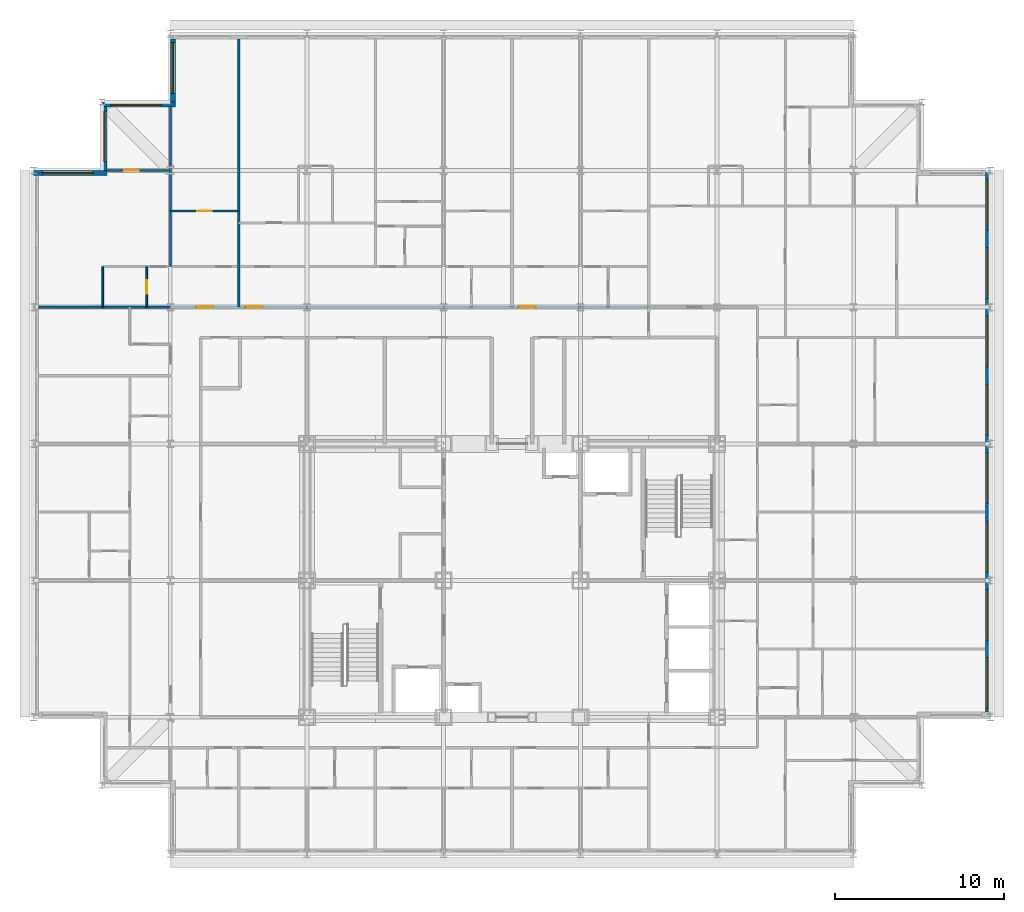
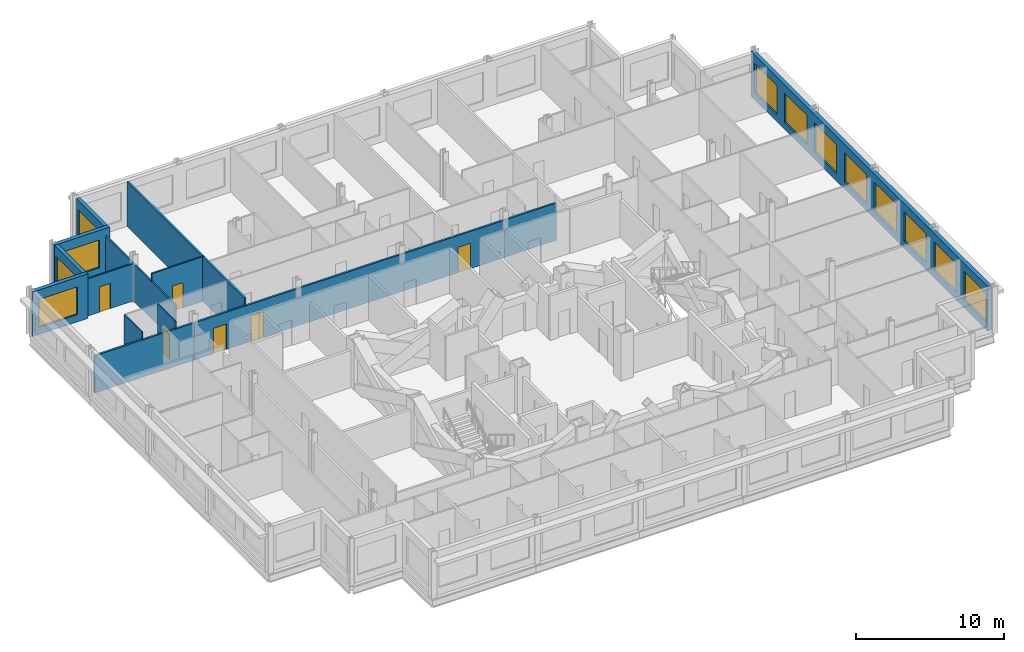
# One storey, part 12 of 16: 13 walls, 12 windows, 6 doors, 18 openings.
"""IFC4 building model written with IfcOpenShell, lengths in metres."""

from ifc_helpers import new_model, si_unit, direction, frame, frame_2d, origin, place, context, subcontext, project, spatial, rectangle, extrude, material, layer, layer_set, type_object, element, fill, save


model = new_model("IFC4")

# Units and contexts
model_context = context("Model", 3, precision=1e-05, world=origin(), true_north=direction((0.0, 1.0)))
body_context = subcontext(model_context, "Body", "Model", "MODEL_VIEW")
ifc_project = project(units=[si_unit("LENGTHUNIT", "METRE"), si_unit("AREAUNIT", "SQUARE_METRE"), si_unit("VOLUMEUNIT", "CUBIC_METRE"), si_unit("PLANEANGLEUNIT", "RADIAN"), si_unit("MASSUNIT", "GRAM", prefix="KILO")], contexts=[model_context])

# Site, building, storey
site_placement = place(None, origin())
site = spatial("IfcSite", under=ifc_project, at=site_placement, CompositionType="ELEMENT")
building_placement = place(site_placement, origin())
building = spatial("IfcBuilding", under=site, at=building_placement, Name="Kopane Lantern Tower", CompositionType="ELEMENT")
storey_placement = place(building_placement, frame((0.0, 0.0, 261.89990234375)))
storey = spatial("IfcBuildingStorey", under=building, at=storey_placement, Name="L67", CompositionType="ELEMENT", Elevation=261.89990234375)

# Wall
ifc_material_1 = material(Name="Gypsum board on steel studs", Category="steel")
ifc_layer_1 = layer(ifc_material_1, 0.1201171875)
ifc_layer_set_1 = layer_set([ifc_layer_1], Name="APARTMENT INTERNAL WALL 120")
wall_type_1 = type_object("IfcWallType", Name="APARTMENT INTERNAL WALL 120", PredefinedType="PARTITIONING", material=ifc_layer_set_1)
wall_1_placement = place(storey_placement, frame((8.10009765625, 51.0, 0.0), z_axis=(0.0, 0.0, 1.0), x_axis=(0.0, 1.0, 0.0)))
element("IfcWall", 1, at=wall_1_placement, inside=storey, type_object=wall_type_1, Name="Apartment Internal Wall 120 L67", PredefinedType="PARTITIONING", context=body_context, shape_type="SweptSolid", body=[
    extrude(rectangle(XDim=9.449951171875, YDim=0.1201171875, at=frame_2d((4.72509765625, 0.0))), origin(), (0.0, 0.0, 1.0), 3.077880859375),
])

# Wall, opening, door
wall_2_placement = place(storey_placement, frame((8.10009765625, 56.699951171875, 0.0), z_axis=(0.0, 0.0, 1.0), x_axis=(-1.0, 0.0, 0.0)))
wall_2 = element("IfcWall", 2, at=wall_2_placement, inside=storey, type_object=wall_type_1, Name="Apartment Internal Wall 120 L67", PredefinedType="PARTITIONING", context=body_context, shape_type="SweptSolid", body=[
    extrude(rectangle(XDim=3.75, YDim=0.1201171875, at=frame_2d((1.875, 0.0))), origin(), (0.0, 0.0, 1.0), 3.077880859375),
])
opening_1_placement = place(wall_2_placement, frame((1.875, 0.0, 0.0)))
opening_1 = element("IfcOpeningElement", 3, at=opening_1_placement, cuts=wall_2, Name="Opening L67-047", PredefinedType="OPENING", context=body_context, shape_type="SweptSolid", body=[
    extrude(rectangle(XDim=0.85009765625, YDim=2.10009765625, at=frame_2d((0.425048828125, 1.050048828125))), frame((0.0, 0.070068359375, 0.0), z_axis=(0.0, -1.0, 0.0), x_axis=(1.0, 0.0, 0.0)), (0.0, 0.0, 1.0), 0.14013671875),
])
ifc_material_2 = material(Name="Timber door set", Category="wood")
door_type_1 = type_object("IfcDoorType", Name="DOOR D4 850x2100", OperationType="SINGLE_SWING_LEFT", PredefinedType="DOOR", material=ifc_material_2)
door_1_placement = place(opening_1_placement, origin())
door_1 = element("IfcDoor", 4, at=door_1_placement, inside=storey, type_object=door_type_1, Name="Door L67-047", OperationType="SINGLE_SWING_LEFT", OverallHeight=2.10009765625, OverallWidth=0.85009765625, PredefinedType="DOOR", context=body_context, shape_type="SweptSolid", body=[
    extrude(rectangle(XDim=0.85009765625, YDim=2.10009765625, at=frame_2d((0.425048828125, 1.050048828125))), frame((0.0, 0.02490234375, 0.0), z_axis=(0.0, -1.0, 0.0), x_axis=(1.0, 0.0, 0.0)), (0.0, 0.0, 1.0), 0.050048828125),
])
fill(opening_1, door_1)

wall_3_placement = place(storey_placement, frame((8.10009765625, 54.300048828125, 0.0), z_axis=(0.0, 0.0, 1.0), x_axis=(1.0, 0.0, 0.0)))
wall_3 = element("IfcWall", 5, at=wall_3_placement, inside=storey, type_object=wall_type_1, Name="Apartment Internal Wall 120 L67", PredefinedType="PARTITIONING", context=body_context, shape_type="SweptSolid", body=[
    extrude(rectangle(XDim=4.0498046875, YDim=0.1201171875, at=frame_2d((2.02490234375, 0.0))), origin(), (0.0, 0.0, 1.0), 3.690185546875),
])
opening_2_placement = place(wall_3_placement, frame((1.60009765625, 0.0, 0.0)))
opening_2 = element("IfcOpeningElement", 6, at=opening_2_placement, cuts=wall_3, Name="Opening L67-075", PredefinedType="OPENING", context=body_context, shape_type="SweptSolid", body=[
    extrude(rectangle(XDim=0.85009765625, YDim=2.10009765625, at=frame_2d((0.425048828125, 1.050048828125))), frame((0.0, 0.070068359375, 0.0), z_axis=(0.0, -1.0, 0.0), x_axis=(1.0, 0.0, 0.0)), (0.0, 0.0, 1.0), 0.14013671875),
])
door_2_placement = place(opening_2_placement, origin())
door_2 = element("IfcDoor", 7, at=door_2_placement, inside=storey, type_object=door_type_1, Name="Door L67-075", OperationType="SINGLE_SWING_RIGHT", OverallHeight=2.10009765625, OverallWidth=0.85009765625, PredefinedType="DOOR", context=body_context, shape_type="SweptSolid", body=[
    extrude(rectangle(XDim=0.85009765625, YDim=2.10009765625, at=frame_2d((0.425048828125, 1.050048828125))), frame((0.0, 0.02490234375, 0.0), z_axis=(0.0, -1.0, 0.0), x_axis=(1.0, 0.0, 0.0)), (0.0, 0.0, 1.0), 0.050048828125),
])
fill(opening_2, door_2)

ifc_material_3 = material(Name="Moisture-resistant board on steel studs", Category="steel")
ifc_layer_2 = layer(ifc_material_3, 0.10009765625)
ifc_layer_set_2 = layer_set([ifc_layer_2], Name="BATHROOM WALL 100")
wall_type_2 = type_object("IfcWallType", Name="BATHROOM WALL 100", PredefinedType="PARTITIONING", material=ifc_layer_set_2)
wall_4_placement = place(storey_placement, frame((6.699951171875, 48.60009765625, 0.0), z_axis=(0.0, 0.0, 1.0), x_axis=(0.0, 1.0, 0.0)))
wall_4 = element("IfcWall", 8, at=wall_4_placement, inside=storey, type_object=wall_type_2, Name="Bathroom Wall 100 L67", PredefinedType="PARTITIONING", context=body_context, shape_type="SweptSolid", body=[
    extrude(rectangle(XDim=2.39990234375, YDim=0.10009765625, at=frame_2d((1.199951171875, 0.0))), origin(), (0.0, 0.0, 1.0), 3.690185546875),
])
opening_3_placement = place(wall_4_placement, frame((0.800048828125, 0.0, 0.0)))
opening_3 = element("IfcOpeningElement", 9, at=opening_3_placement, cuts=wall_4, Name="Opening L67-045", PredefinedType="OPENING", context=body_context, shape_type="SweptSolid", body=[
    extrude(rectangle(XDim=0.800048828125, YDim=2.10009765625, at=frame_2d((0.39990234375, 1.050048828125))), frame((0.0, 0.06005859375, 0.0), z_axis=(0.0, -1.0, 0.0), x_axis=(1.0, 0.0, 0.0)), (0.0, 0.0, 1.0), 0.1201171875),
])
ifc_material_4 = material(Name="Timber door set", Category="wood")
door_type_2 = type_object("IfcDoorType", Name="DOOR D2 800x2100", OperationType="SINGLE_SWING_LEFT", PredefinedType="DOOR", material=ifc_material_4)
door_3_placement = place(opening_3_placement, origin())
door_3 = element("IfcDoor", 10, at=door_3_placement, inside=storey, type_object=door_type_2, Name="Door L67-045", OperationType="SINGLE_SWING_LEFT", OverallHeight=2.10009765625, OverallWidth=0.800048828125, PredefinedType="DOOR", context=body_context, shape_type="SweptSolid", body=[
    extrude(rectangle(XDim=0.800048828125, YDim=2.10009765625, at=frame_2d((0.39990234375, 1.050048828125))), frame((0.0, 0.02490234375, 0.0), z_axis=(0.0, -1.0, 0.0), x_axis=(1.0, 0.0, 0.0)), (0.0, 0.0, 1.0), 0.050048828125),
])
fill(opening_3, door_3)

# Wall
wall_5_placement = place(storey_placement, frame((4.10009765625, 48.60009765625, 0.0), z_axis=(0.0, 0.0, 1.0), x_axis=(0.0, 1.0, 0.0)))
element("IfcWall", 11, at=wall_5_placement, inside=storey, type_object=wall_type_2, Name="Bathroom Wall 100 L67", PredefinedType="PARTITIONING", context=body_context, shape_type="SweptSolid", body=[
    extrude(rectangle(XDim=2.39990234375, YDim=0.10009765625, at=frame_2d((1.199951171875, 0.0))), origin(), (0.0, 0.0, 1.0), 3.690185546875),
])

# Wall, openings, doors
ifc_material_5 = material(Name="Gypsum board on steel studs", Category="steel")
ifc_layer_3 = layer(ifc_material_5, 0.14990234375)
ifc_layer_set_3 = layer_set([ifc_layer_3], Name="CORRIDOR WALL 150 EI 60")
wall_type_3 = type_object("IfcWallType", Name="CORRIDOR WALL 150 EI 60", PredefinedType="PARTITIONING", material=ifc_layer_set_3)
wall_6_placement = place(storey_placement, frame((8.10009765625, 48.60009765625, 0.0), z_axis=(0.0, 0.0, 1.0), x_axis=(1.0, 0.0, 0.0)))
wall_6 = element("IfcWall", 12, at=wall_6_placement, inside=storey, type_object=wall_type_3, Name="Corridor Wall 150 Ei 60 L67", PredefinedType="PARTITIONING", context=body_context, shape_type="SweptSolid", body=[
    extrude(rectangle(XDim=28.349853515625, YDim=0.14990234375, at=frame_2d((14.1748046875, 0.0))), origin(), (0.0, 0.0, 1.0), 3.077880859375),
])
opening_4_placement = place(wall_6_placement, frame((4.449951171875, 0.0, 0.0)))
opening_4 = element("IfcOpeningElement", 13, at=opening_4_placement, cuts=wall_6, Name="Opening L67-022", PredefinedType="OPENING", context=body_context, shape_type="SweptSolid", body=[
    extrude(rectangle(XDim=1.0, YDim=2.10009765625, at=frame_2d((0.5, 1.050048828125))), frame((0.0, 0.0849609375, 0.0), z_axis=(0.0, -1.0, 0.0), x_axis=(1.0, 0.0, 0.0)), (0.0, 0.0, 1.0), 0.169921875),
])
opening_5_placement = place(wall_6_placement, frame((20.64990234375, 0.0, 0.0)))
opening_5 = element("IfcOpeningElement", 14, at=opening_5_placement, cuts=wall_6, Name="Opening L67-028", PredefinedType="OPENING", context=body_context, shape_type="SweptSolid", body=[
    extrude(rectangle(XDim=1.0, YDim=2.10009765625, at=frame_2d((0.5, 1.050048828125))), frame((0.0, 0.0849609375, 0.0), z_axis=(0.0, -1.0, 0.0), x_axis=(1.0, 0.0, 0.0)), (0.0, 0.0, 1.0), 0.169921875),
])
opening_6_placement = place(wall_6_placement, frame((1.52490234375, 0.0, 0.0)))
opening_6 = element("IfcOpeningElement", 15, at=opening_6_placement, cuts=wall_6, Name="Opening L67-043", PredefinedType="OPENING", context=body_context, shape_type="SweptSolid", body=[
    extrude(rectangle(XDim=1.0, YDim=2.10009765625, at=frame_2d((0.5, 1.050048828125))), frame((0.0, 0.0849609375, 0.0), z_axis=(0.0, -1.0, 0.0), x_axis=(1.0, 0.0, 0.0)), (0.0, 0.0, 1.0), 0.169921875),
])
ifc_material_6 = material(Name="Steel door set", Category="steel")
door_type_3 = type_object("IfcDoorType", Name="DOOR D3 1000x2100 FD30S", OperationType="SINGLE_SWING_LEFT", PredefinedType="DOOR", material=ifc_material_6)
door_4_placement = place(opening_4_placement, origin())
door_4 = element("IfcDoor", 16, at=door_4_placement, inside=storey, type_object=door_type_3, Name="Door L67-022", OperationType="SINGLE_SWING_LEFT", OverallHeight=2.10009765625, OverallWidth=1.0, PredefinedType="DOOR", context=body_context, shape_type="SweptSolid", body=[
    extrude(rectangle(XDim=1.0, YDim=2.10009765625, at=frame_2d((0.5, 1.050048828125))), frame((0.0, 0.02490234375, 0.0), z_axis=(0.0, -1.0, 0.0), x_axis=(1.0, 0.0, 0.0)), (0.0, 0.0, 1.0), 0.050048828125),
])
fill(opening_4, door_4)
door_5_placement = place(opening_5_placement, origin())
door_5 = element("IfcDoor", 17, at=door_5_placement, inside=storey, type_object=door_type_3, Name="Door L67-028", OperationType="SINGLE_SWING_LEFT", OverallHeight=2.10009765625, OverallWidth=1.0, PredefinedType="DOOR", context=body_context, shape_type="SweptSolid", body=[
    extrude(rectangle(XDim=1.0, YDim=2.10009765625, at=frame_2d((0.5, 1.050048828125))), frame((0.0, 0.02490234375, 0.0), z_axis=(0.0, -1.0, 0.0), x_axis=(1.0, 0.0, 0.0)), (0.0, 0.0, 1.0), 0.050048828125),
])
fill(opening_5, door_5)
door_6_placement = place(opening_6_placement, origin())
door_6 = element("IfcDoor", 18, at=door_6_placement, inside=storey, type_object=door_type_3, Name="Door L67-043", OperationType="SINGLE_SWING_RIGHT", OverallHeight=2.10009765625, OverallWidth=1.0, PredefinedType="DOOR", context=body_context, shape_type="SweptSolid", body=[
    extrude(rectangle(XDim=1.0, YDim=2.10009765625, at=frame_2d((0.5, 1.050048828125))), frame((0.0, 0.02490234375, 0.0), z_axis=(0.0, -1.0, 0.0), x_axis=(1.0, 0.0, 0.0)), (0.0, 0.0, 1.0), 0.050048828125),
])
fill(opening_6, door_6)

# Walls
ifc_material_7 = material(Name="Gypsum board on steel studs", Category="steel")
ifc_layer_4 = layer(ifc_material_7, 0.14990234375)
ifc_layer_set_4 = layer_set([ifc_layer_4], Name="DEMISING WALL 150 EI 60")
wall_type_4 = type_object("IfcWallType", Name="DEMISING WALL 150 EI 60", PredefinedType="PARTITIONING", material=ifc_layer_set_4)
wall_7_placement = place(storey_placement, frame((0.300048828125, 48.60009765625, 0.0), z_axis=(0.0, 0.0, 1.0), x_axis=(1.0, 0.0, 0.0)))
element("IfcWall", 19, at=wall_7_placement, inside=storey, type_object=wall_type_4, Name="Demising Wall 150 Ei 60 L67", PredefinedType="PARTITIONING", context=body_context, shape_type="SweptSolid", body=[
    extrude(rectangle(XDim=7.800048828125, YDim=0.14990234375, at=frame_2d((3.89990234375, 0.0))), origin(), (0.0, 0.0, 1.0), 3.077880859375),
])
wall_8_placement = place(storey_placement, frame((12.14990234375, 48.60009765625, 0.0), z_axis=(0.0, 0.0, 1.0), x_axis=(0.0, 1.0, 0.0)))
element("IfcWall", 20, at=wall_8_placement, inside=storey, type_object=wall_type_4, Name="Demising Wall 150 Ei 60 L67", PredefinedType="PARTITIONING", context=body_context, shape_type="SweptSolid", body=[
    extrude(rectangle(XDim=15.89990234375, YDim=0.14990234375, at=frame_2d((7.949951171875, 0.0))), origin(), (0.0, 0.0, 1.0), 3.690185546875),
])

# Wall, openings, windows
ifc_material_8 = material(Name="Terracotta rainscreen on light steel framing", Category="masonry")
ifc_layer_5 = layer(ifc_material_8, 0.300048828125)
ifc_layer_set_5 = layer_set([ifc_layer_5], Name="EXTERNAL WALL EW1 300 TERRACOTTA")
wall_type_5 = type_object("IfcWallType", Name="EXTERNAL WALL EW1 300 TERRACOTTA", PredefinedType="SOLIDWALL", material=ifc_layer_set_5)
wall_9_placement = place(storey_placement, frame((56.550048828125, 24.60009765625, 0.0), z_axis=(0.0, 0.0, 1.0), x_axis=(0.0, 1.0, 0.0)))
wall_9 = element("IfcWall", 21, at=wall_9_placement, inside=storey, type_object=wall_type_5, Name="External wall E L67", PredefinedType="SOLIDWALL", context=body_context, shape_type="SweptSolid", body=[
    extrude(rectangle(XDim=32.099853515625, YDim=0.300048828125, at=frame_2d((16.0498046875, 0.0))), origin(), (0.0, 0.0, 1.0), 3.690185546875),
])
opening_7_placement = place(wall_9_placement, frame((0.22509765625, 0.0, 0.60009765625)))
opening_7 = element("IfcOpeningElement", 22, at=opening_7_placement, cuts=wall_9, Name="Opening WR300240", PredefinedType="OPENING", context=body_context, shape_type="SweptSolid", body=[
    extrude(rectangle(XDim=3.0, YDim=2.39990234375, at=frame_2d((1.5, 1.199951171875))), frame((0.0, 0.159912109375, 0.0), z_axis=(0.0, -1.0, 0.0), x_axis=(1.0, 0.0, 0.0)), (0.0, 0.0, 1.0), 0.320068359375),
])
opening_8_placement = place(wall_9_placement, frame((4.27490234375, 0.0, 0.60009765625)))
opening_8 = element("IfcOpeningElement", 23, at=opening_8_placement, cuts=wall_9, Name="Opening WR300240", PredefinedType="OPENING", context=body_context, shape_type="SweptSolid", body=[
    extrude(rectangle(XDim=3.0, YDim=2.39990234375, at=frame_2d((1.5, 1.199951171875))), frame((0.0, 0.159912109375, 0.0), z_axis=(0.0, -1.0, 0.0), x_axis=(1.0, 0.0, 0.0)), (0.0, 0.0, 1.0), 0.320068359375),
])
opening_9_placement = place(wall_9_placement, frame((8.324951171875, 0.0, 0.60009765625)))
opening_9 = element("IfcOpeningElement", 24, at=opening_9_placement, cuts=wall_9, Name="Opening WR300240", PredefinedType="OPENING", context=body_context, shape_type="SweptSolid", body=[
    extrude(rectangle(XDim=3.0, YDim=2.39990234375, at=frame_2d((1.5, 1.199951171875))), frame((0.0, 0.159912109375, 0.0), z_axis=(0.0, -1.0, 0.0), x_axis=(1.0, 0.0, 0.0)), (0.0, 0.0, 1.0), 0.320068359375),
])
opening_10_placement = place(wall_9_placement, frame((12.375, 0.0, 0.60009765625)))
opening_10 = element("IfcOpeningElement", 25, at=opening_10_placement, cuts=wall_9, Name="Opening WR300240", PredefinedType="OPENING", context=body_context, shape_type="SweptSolid", body=[
    extrude(rectangle(XDim=3.0, YDim=2.39990234375, at=frame_2d((1.5, 1.199951171875))), frame((0.0, 0.159912109375, 0.0), z_axis=(0.0, -1.0, 0.0), x_axis=(1.0, 0.0, 0.0)), (0.0, 0.0, 1.0), 0.320068359375),
])
opening_11_placement = place(wall_9_placement, frame((16.425048828125, 0.0, 0.60009765625)))
opening_11 = element("IfcOpeningElement", 26, at=opening_11_placement, cuts=wall_9, Name="Opening WR300240", PredefinedType="OPENING", context=body_context, shape_type="SweptSolid", body=[
    extrude(rectangle(XDim=3.0, YDim=2.39990234375, at=frame_2d((1.5, 1.199951171875))), frame((0.0, 0.159912109375, 0.0), z_axis=(0.0, -1.0, 0.0), x_axis=(1.0, 0.0, 0.0)), (0.0, 0.0, 1.0), 0.320068359375),
])
opening_12_placement = place(wall_9_placement, frame((20.47509765625, 0.0, 0.60009765625)))
opening_12 = element("IfcOpeningElement", 27, at=opening_12_placement, cuts=wall_9, Name="Opening WR300240", PredefinedType="OPENING", context=body_context, shape_type="SweptSolid", body=[
    extrude(rectangle(XDim=3.0, YDim=2.39990234375, at=frame_2d((1.5, 1.199951171875))), frame((0.0, 0.159912109375, 0.0), z_axis=(0.0, -1.0, 0.0), x_axis=(1.0, 0.0, 0.0)), (0.0, 0.0, 1.0), 0.320068359375),
])
opening_13_placement = place(wall_9_placement, frame((24.52490234375, 0.0, 0.60009765625)))
opening_13 = element("IfcOpeningElement", 28, at=opening_13_placement, cuts=wall_9, Name="Opening WR300240", PredefinedType="OPENING", context=body_context, shape_type="SweptSolid", body=[
    extrude(rectangle(XDim=3.0, YDim=2.39990234375, at=frame_2d((1.5, 1.199951171875))), frame((0.0, 0.159912109375, 0.0), z_axis=(0.0, -1.0, 0.0), x_axis=(1.0, 0.0, 0.0)), (0.0, 0.0, 1.0), 0.320068359375),
])
opening_14_placement = place(wall_9_placement, frame((28.574951171875, 0.0, 0.60009765625)))
opening_14 = element("IfcOpeningElement", 29, at=opening_14_placement, cuts=wall_9, Name="Opening WR300240", PredefinedType="OPENING", context=body_context, shape_type="SweptSolid", body=[
    extrude(rectangle(XDim=3.0, YDim=2.39990234375, at=frame_2d((1.5, 1.199951171875))), frame((0.0, 0.159912109375, 0.0), z_axis=(0.0, -1.0, 0.0), x_axis=(1.0, 0.0, 0.0)), (0.0, 0.0, 1.0), 0.320068359375),
])
ifc_material_9 = material(Name="Aluminium and clear glass", Category="aluminium")
window_type_1 = type_object("IfcWindowType", Name="RIBBON WINDOW WR300240 3000x2400", PartitioningType="SINGLE_PANEL", PredefinedType="WINDOW", material=ifc_material_9)
window_1_placement = place(opening_7_placement, origin())
window_1 = element("IfcWindow", 30, at=window_1_placement, inside=storey, type_object=window_type_1, Name="Window E L67", OverallHeight=2.39990234375, OverallWidth=3.0, PartitioningType="SINGLE_PANEL", PredefinedType="WINDOW", context=body_context, shape_type="SweptSolid", body=[
    extrude(rectangle(XDim=3.0, YDim=2.39990234375, at=frame_2d((1.5, 1.199951171875))), frame((0.0, 0.030029296875, 0.0), z_axis=(0.0, -1.0, 0.0), x_axis=(1.0, 0.0, 0.0)), (0.0, 0.0, 1.0), 0.06005859375),
])
fill(opening_7, window_1)
window_2_placement = place(opening_8_placement, origin())
window_2 = element("IfcWindow", 31, at=window_2_placement, inside=storey, type_object=window_type_1, Name="Window E L67", OverallHeight=2.39990234375, OverallWidth=3.0, PartitioningType="SINGLE_PANEL", PredefinedType="WINDOW", context=body_context, shape_type="SweptSolid", body=[
    extrude(rectangle(XDim=3.0, YDim=2.39990234375, at=frame_2d((1.5, 1.199951171875))), frame((0.0, 0.030029296875, 0.0), z_axis=(0.0, -1.0, 0.0), x_axis=(1.0, 0.0, 0.0)), (0.0, 0.0, 1.0), 0.06005859375),
])
fill(opening_8, window_2)
window_3_placement = place(opening_9_placement, origin())
window_3 = element("IfcWindow", 32, at=window_3_placement, inside=storey, type_object=window_type_1, Name="Window E L67", OverallHeight=2.39990234375, OverallWidth=3.0, PartitioningType="SINGLE_PANEL", PredefinedType="WINDOW", context=body_context, shape_type="SweptSolid", body=[
    extrude(rectangle(XDim=3.0, YDim=2.39990234375, at=frame_2d((1.5, 1.199951171875))), frame((0.0, 0.030029296875, 0.0), z_axis=(0.0, -1.0, 0.0), x_axis=(1.0, 0.0, 0.0)), (0.0, 0.0, 1.0), 0.06005859375),
])
fill(opening_9, window_3)
window_4_placement = place(opening_10_placement, origin())
window_4 = element("IfcWindow", 33, at=window_4_placement, inside=storey, type_object=window_type_1, Name="Window E L67", OverallHeight=2.39990234375, OverallWidth=3.0, PartitioningType="SINGLE_PANEL", PredefinedType="WINDOW", context=body_context, shape_type="SweptSolid", body=[
    extrude(rectangle(XDim=3.0, YDim=2.39990234375, at=frame_2d((1.5, 1.199951171875))), frame((0.0, 0.030029296875, 0.0), z_axis=(0.0, -1.0, 0.0), x_axis=(1.0, 0.0, 0.0)), (0.0, 0.0, 1.0), 0.06005859375),
])
fill(opening_10, window_4)
window_5_placement = place(opening_11_placement, origin())
window_5 = element("IfcWindow", 34, at=window_5_placement, inside=storey, type_object=window_type_1, Name="Window E L67", OverallHeight=2.39990234375, OverallWidth=3.0, PartitioningType="SINGLE_PANEL", PredefinedType="WINDOW", context=body_context, shape_type="SweptSolid", body=[
    extrude(rectangle(XDim=3.0, YDim=2.39990234375, at=frame_2d((1.5, 1.199951171875))), frame((0.0, 0.030029296875, 0.0), z_axis=(0.0, -1.0, 0.0), x_axis=(1.0, 0.0, 0.0)), (0.0, 0.0, 1.0), 0.06005859375),
])
fill(opening_11, window_5)
window_6_placement = place(opening_12_placement, origin())
window_6 = element("IfcWindow", 35, at=window_6_placement, inside=storey, type_object=window_type_1, Name="Window E L67", OverallHeight=2.39990234375, OverallWidth=3.0, PartitioningType="SINGLE_PANEL", PredefinedType="WINDOW", context=body_context, shape_type="SweptSolid", body=[
    extrude(rectangle(XDim=3.0, YDim=2.39990234375, at=frame_2d((1.5, 1.199951171875))), frame((0.0, 0.030029296875, 0.0), z_axis=(0.0, -1.0, 0.0), x_axis=(1.0, 0.0, 0.0)), (0.0, 0.0, 1.0), 0.06005859375),
])
fill(opening_12, window_6)
window_7_placement = place(opening_13_placement, origin())
window_7 = element("IfcWindow", 36, at=window_7_placement, inside=storey, type_object=window_type_1, Name="Window E L67", OverallHeight=2.39990234375, OverallWidth=3.0, PartitioningType="SINGLE_PANEL", PredefinedType="WINDOW", context=body_context, shape_type="SweptSolid", body=[
    extrude(rectangle(XDim=3.0, YDim=2.39990234375, at=frame_2d((1.5, 1.199951171875))), frame((0.0, 0.030029296875, 0.0), z_axis=(0.0, -1.0, 0.0), x_axis=(1.0, 0.0, 0.0)), (0.0, 0.0, 1.0), 0.06005859375),
])
fill(opening_13, window_7)
window_8_placement = place(opening_14_placement, origin())
window_8 = element("IfcWindow", 37, at=window_8_placement, inside=storey, type_object=window_type_1, Name="Window E L67", OverallHeight=2.39990234375, OverallWidth=3.0, PartitioningType="SINGLE_PANEL", PredefinedType="WINDOW", context=body_context, shape_type="SweptSolid", body=[
    extrude(rectangle(XDim=3.0, YDim=2.39990234375, at=frame_2d((1.5, 1.199951171875))), frame((0.0, 0.030029296875, 0.0), z_axis=(0.0, -1.0, 0.0), x_axis=(1.0, 0.0, 0.0)), (0.0, 0.0, 1.0), 0.06005859375),
])
fill(opening_14, window_8)

# Wall, opening, window
wall_10_placement = place(storey_placement, frame((8.25, 64.5, 0.0), z_axis=(0.0, 0.0, 1.0), x_axis=(0.0, -1.0, 0.0)))
wall_10 = element("IfcWall", 38, at=wall_10_placement, inside=storey, type_object=wall_type_5, Name="External wall W L67", PredefinedType="SOLIDWALL", context=body_context, shape_type="SweptSolid", body=[
    extrude(rectangle(XDim=3.75, YDim=0.300048828125, at=frame_2d((1.875, 0.0))), origin(), (0.0, 0.0, 1.0), 3.690185546875),
])
opening_15_placement = place(wall_10_placement, frame((0.22509765625, 0.0, 0.60009765625)))
opening_15 = element("IfcOpeningElement", 39, at=opening_15_placement, cuts=wall_10, Name="Opening WR300230", PredefinedType="OPENING", context=body_context, shape_type="SweptSolid", body=[
    extrude(rectangle(XDim=3.0, YDim=2.300048828125, at=frame_2d((1.5, 1.14990234375))), frame((0.0, 0.159912109375, 0.0), z_axis=(0.0, -1.0, 0.0), x_axis=(1.0, 0.0, 0.0)), (0.0, 0.0, 1.0), 0.320068359375),
])
ifc_material_10 = material(Name="Aluminium and clear glass", Category="aluminium")
window_type_2 = type_object("IfcWindowType", Name="RIBBON WINDOW WR300230 3000x2300", PartitioningType="SINGLE_PANEL", PredefinedType="WINDOW", material=ifc_material_10)
window_9_placement = place(opening_15_placement, origin())
window_9 = element("IfcWindow", 40, at=window_9_placement, inside=storey, type_object=window_type_2, Name="Window W L67", OverallHeight=2.300048828125, OverallWidth=3.0, PartitioningType="SINGLE_PANEL", PredefinedType="WINDOW", context=body_context, shape_type="SweptSolid", body=[
    extrude(rectangle(XDim=3.0, YDim=2.300048828125, at=frame_2d((1.5, 1.14990234375))), frame((0.0, 0.030029296875, 0.0), z_axis=(0.0, -1.0, 0.0), x_axis=(1.0, 0.0, 0.0)), (0.0, 0.0, 1.0), 0.06005859375),
])
fill(opening_15, window_9)

wall_11_placement = place(storey_placement, frame((8.39990234375, 60.60009765625, 0.0), z_axis=(0.0, 0.0, 1.0), x_axis=(-1.0, 0.0, 0.0)))
wall_11 = element("IfcWall", 41, at=wall_11_placement, inside=storey, type_object=wall_type_5, Name="External wall N L67", PredefinedType="SOLIDWALL", context=body_context, shape_type="SweptSolid", body=[
    extrude(rectangle(XDim=4.349853515625, YDim=0.300048828125, at=frame_2d((2.1748046875, 0.0))), origin(), (0.0, 0.0, 1.0), 3.690185546875),
])
opening_16_placement = place(wall_11_placement, frame((0.824951171875, 0.0, 0.60009765625)))
opening_16 = element("IfcOpeningElement", 42, at=opening_16_placement, cuts=wall_11, Name="Opening WR300230", PredefinedType="OPENING", context=body_context, shape_type="SweptSolid", body=[
    extrude(rectangle(XDim=3.0, YDim=2.300048828125, at=frame_2d((1.5, 1.14990234375))), frame((0.0, 0.159912109375, 0.0), z_axis=(0.0, -1.0, 0.0), x_axis=(1.0, 0.0, 0.0)), (0.0, 0.0, 1.0), 0.320068359375),
])
window_10_placement = place(opening_16_placement, origin())
window_10 = element("IfcWindow", 43, at=window_10_placement, inside=storey, type_object=window_type_2, Name="Window N L67", OverallHeight=2.300048828125, OverallWidth=3.0, PartitioningType="SINGLE_PANEL", PredefinedType="WINDOW", context=body_context, shape_type="SweptSolid", body=[
    extrude(rectangle(XDim=3.0, YDim=2.300048828125, at=frame_2d((1.5, 1.14990234375))), frame((0.0, 0.030029296875, 0.0), z_axis=(0.0, -1.0, 0.0), x_axis=(1.0, 0.0, 0.0)), (0.0, 0.0, 1.0), 0.06005859375),
])
fill(opening_16, window_10)

wall_12_placement = place(storey_placement, frame((4.199951171875, 60.449951171875, 0.0), z_axis=(0.0, 0.0, 1.0), x_axis=(0.0, -1.0, 0.0)))
wall_12 = element("IfcWall", 44, at=wall_12_placement, inside=storey, type_object=wall_type_5, Name="External wall W L67", PredefinedType="SOLIDWALL", context=body_context, shape_type="SweptSolid", body=[
    extrude(rectangle(XDim=3.75, YDim=0.300048828125, at=frame_2d((1.875, 0.0))), origin(), (0.0, 0.0, 1.0), 3.690185546875),
])
opening_17_placement = place(wall_12_placement, frame((0.22509765625, 0.0, 0.60009765625)))
opening_17 = element("IfcOpeningElement", 45, at=opening_17_placement, cuts=wall_12, Name="Opening WR300230", PredefinedType="OPENING", context=body_context, shape_type="SweptSolid", body=[
    extrude(rectangle(XDim=3.0, YDim=2.300048828125, at=frame_2d((1.5, 1.14990234375))), frame((0.0, 0.159912109375, 0.0), z_axis=(0.0, -1.0, 0.0), x_axis=(1.0, 0.0, 0.0)), (0.0, 0.0, 1.0), 0.320068359375),
])
window_11_placement = place(opening_17_placement, origin())
window_11 = element("IfcWindow", 46, at=window_11_placement, inside=storey, type_object=window_type_2, Name="Window W L67", OverallHeight=2.300048828125, OverallWidth=3.0, PartitioningType="SINGLE_PANEL", PredefinedType="WINDOW", context=body_context, shape_type="SweptSolid", body=[
    extrude(rectangle(XDim=3.0, YDim=2.300048828125, at=frame_2d((1.5, 1.14990234375))), frame((0.0, 0.030029296875, 0.0), z_axis=(0.0, -1.0, 0.0), x_axis=(1.0, 0.0, 0.0)), (0.0, 0.0, 1.0), 0.06005859375),
])
fill(opening_17, window_11)

wall_13_placement = place(storey_placement, frame((4.35009765625, 56.550048828125, 0.0), z_axis=(0.0, 0.0, 1.0), x_axis=(-1.0, 0.0, 0.0)))
wall_13 = element("IfcWall", 47, at=wall_13_placement, inside=storey, type_object=wall_type_5, Name="External wall N L67", PredefinedType="SOLIDWALL", context=body_context, shape_type="SweptSolid", body=[
    extrude(rectangle(XDim=4.35009765625, YDim=0.300048828125, at=frame_2d((2.175048828125, 0.0))), origin(), (0.0, 0.0, 1.0), 3.690185546875),
])
opening_18_placement = place(wall_13_placement, frame((0.824951171875, 0.0, 0.60009765625)))
opening_18 = element("IfcOpeningElement", 48, at=opening_18_placement, cuts=wall_13, Name="Opening WR300230", PredefinedType="OPENING", context=body_context, shape_type="SweptSolid", body=[
    extrude(rectangle(XDim=3.0, YDim=2.300048828125, at=frame_2d((1.5, 1.14990234375))), frame((0.0, 0.159912109375, 0.0), z_axis=(0.0, -1.0, 0.0), x_axis=(1.0, 0.0, 0.0)), (0.0, 0.0, 1.0), 0.320068359375),
])
window_12_placement = place(opening_18_placement, origin())
window_12 = element("IfcWindow", 49, at=window_12_placement, inside=storey, type_object=window_type_2, Name="Window N L67", OverallHeight=2.300048828125, OverallWidth=3.0, PartitioningType="SINGLE_PANEL", PredefinedType="WINDOW", context=body_context, shape_type="SweptSolid", body=[
    extrude(rectangle(XDim=3.0, YDim=2.300048828125, at=frame_2d((1.5, 1.14990234375))), frame((0.0, 0.030029296875, 0.0), z_axis=(0.0, -1.0, 0.0), x_axis=(1.0, 0.0, 0.0)), (0.0, 0.0, 1.0), 0.06005859375),
])
fill(opening_18, window_12)

save(model, "model.ifc")
